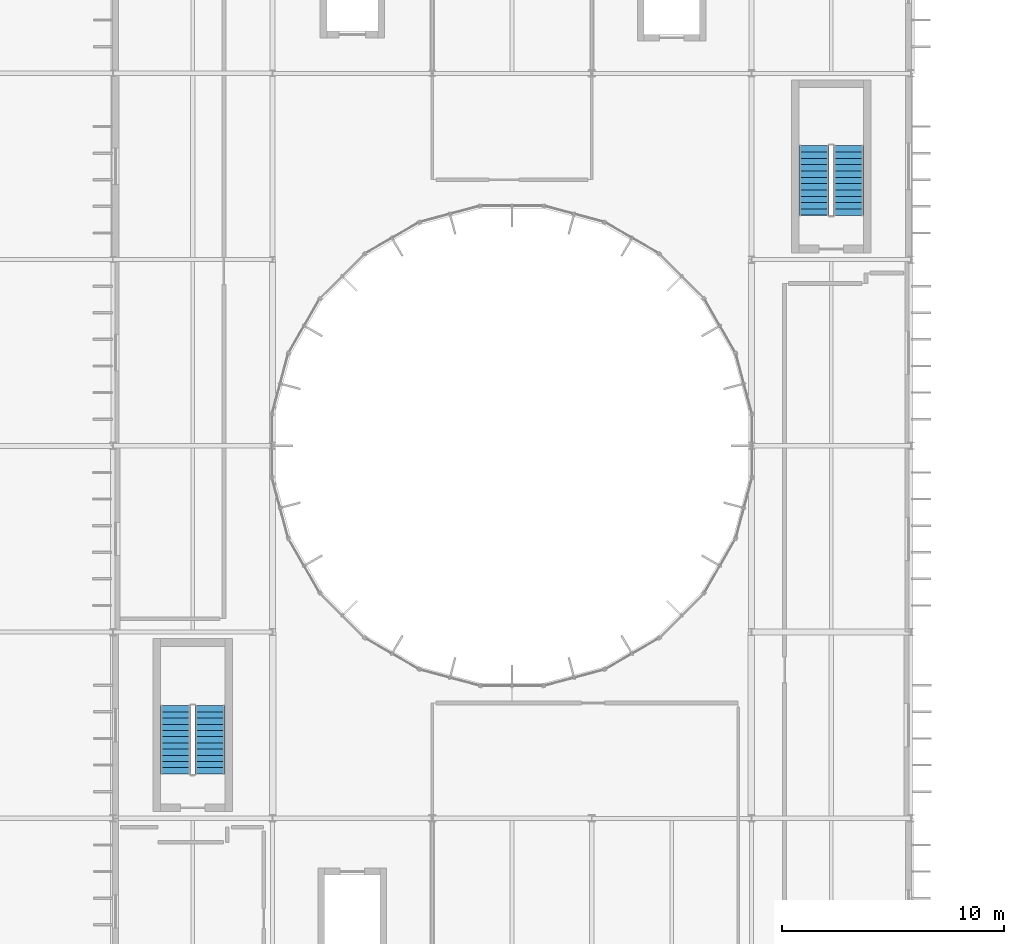
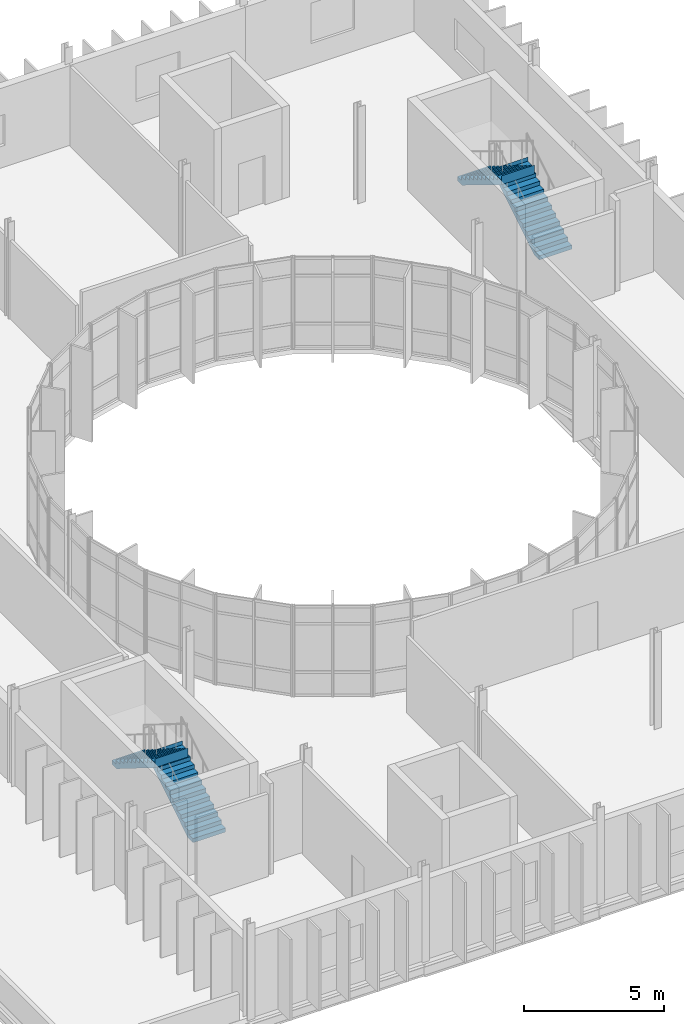
# One storey, part 44 of 52: 4 stair flights, 2 elements without a shape of their own.
"""IFC4 building model written with IfcOpenShell, lengths in metres."""

from ifc_helpers import new_model, si_unit, direction, frame, origin, place, context, subcontext, project, spatial, polyline, outline, extrude, material, type_object, element, aggregate, save


model = new_model("IFC4")

# Units and contexts
model_context = context("Model", 3, precision=1e-05, world=origin(), true_north=direction((0.0, 1.0)))
body_context = subcontext(model_context, "Body", "Model", "MODEL_VIEW")
ifc_project = project(units=[si_unit("LENGTHUNIT", "METRE"), si_unit("AREAUNIT", "SQUARE_METRE"), si_unit("VOLUMEUNIT", "CUBIC_METRE"), si_unit("PLANEANGLEUNIT", "RADIAN"), si_unit("MASSUNIT", "GRAM", prefix="KILO")], contexts=[model_context])

# Site, building, storey
site_placement = place(None, origin())
site = spatial("IfcSite", under=ifc_project, at=site_placement, CompositionType="ELEMENT")
building_placement = place(site_placement, origin())
building = spatial("IfcBuilding", under=site, at=building_placement, Name="Qelthora Terrace Specialist Clinic", CompositionType="ELEMENT")
storey_placement = place(building_placement, frame((0.0, 0.0, 17.39990234375)))
storey = spatial("IfcBuildingStorey", under=building, at=storey_placement, Name="L04", CompositionType="ELEMENT", Elevation=17.39990234375)

# Stair, stair flights
ifc_material = material(Name="Concrete C30/37", Category="concrete")
stair_type_1 = type_object("IfcStairType", Name="STR-175-280", PredefinedType="HALF_TURN_STAIR", material=ifc_material)
stair_1_placement = place(storey_placement, origin())
stair_1 = element("IfcStair", 1, at=stair_1_placement, inside=storey, type_object=stair_type_1, Name="L04 Enclosed Exit Stair ST-01", PredefinedType="HALF_TURN_STAIR")
stair_flight_type_1 = type_object("IfcStairFlightType", Name="SFL-175-280", PredefinedType="STRAIGHT", material=ifc_material)
stair_flight_1_placement = place(storey_placement, frame((11.574951171875, 69.199951171875, 0.0), z_axis=(0.0, 0.0, 1.0), x_axis=(0.0, 1.0, 0.0)))
stair_flight_1 = element("IfcStairFlight", 2, at=stair_flight_1_placement, type_object=stair_flight_type_1, Name="ST-01 flight 1", NumberOfRisers=12, NumberOfTreads=11, PredefinedType="STRAIGHT", RiserHeight=0.175, TreadLength=0.28, context=body_context, shape_type="SweptSolid", body=[
    extrude(outline(polyline([(-0.001953125, 0.0), (-0.001953125, 0.175048828125), (0.280029296875, 0.175048828125), (0.280029296875, 0.35009765625), (0.56005859375, 0.35009765625), (0.56005859375, 0.52490234375), (0.840087890625, 0.52490234375), (0.840087890625, 0.699951171875), (1.1201171875, 0.699951171875), (1.1201171875, 0.875), (1.39990234375, 0.875), (1.39990234375, 1.050048828125), (1.679931640625, 1.050048828125), (1.679931640625, 1.22509765625), (1.9599609375, 1.22509765625), (1.9599609375, 1.39990234375), (2.239990234375, 1.39990234375), (2.239990234375, 1.574951171875), (2.52001953125, 1.574951171875), (2.52001953125, 1.75), (2.800048828125, 1.75), (2.800048828125, 1.925048828125), (3.080078125, 1.925048828125), (3.080078125, 2.10009765625), (3.08203125, 2.10009765625), (3.08203125, 1.712890625), (3.080078125, 1.712890625), (0.339599609375, 0.0), (-0.001953125, 0.0)])), frame((0.0, 0.675048828125, 0.0), z_axis=(0.0, -1.0, 0.0), x_axis=(1.0, 0.0, 0.0)), (0.0, 0.0, 1.0), 1.35009765625),
])
stair_flight_2_placement = place(storey_placement, frame((10.02490234375, 72.280029296875, 2.10009765625), z_axis=(0.0, 0.0, 1.0), x_axis=(0.0, -1.0, 0.0)))
stair_flight_2 = element("IfcStairFlight", 3, at=stair_flight_2_placement, type_object=stair_flight_type_1, Name="ST-01 flight 2", NumberOfRisers=12, NumberOfTreads=11, PredefinedType="STRAIGHT", RiserHeight=0.175, TreadLength=0.28, context=body_context, shape_type="SweptSolid", body=[
    extrude(outline(polyline([(-0.001953125, 0.0), (-0.001953125, 0.175048828125), (0.280029296875, 0.175048828125), (0.280029296875, 0.35009765625), (0.56005859375, 0.35009765625), (0.56005859375, 0.52490234375), (0.840087890625, 0.52490234375), (0.840087890625, 0.699951171875), (1.1201171875, 0.699951171875), (1.1201171875, 0.875), (1.39990234375, 0.875), (1.39990234375, 1.050048828125), (1.679931640625, 1.050048828125), (1.679931640625, 1.22509765625), (1.9599609375, 1.22509765625), (1.9599609375, 1.39990234375), (2.239990234375, 1.39990234375), (2.239990234375, 1.574951171875), (2.52001953125, 1.574951171875), (2.52001953125, 1.75), (2.800048828125, 1.75), (2.800048828125, 1.925048828125), (3.080078125, 1.925048828125), (3.080078125, 2.10009765625), (3.08203125, 2.10009765625), (3.08203125, 1.712890625), (3.080078125, 1.712890625), (0.339599609375, 0.0), (-0.001953125, 0.0)])), frame((0.0, 0.675048828125, 0.0), z_axis=(0.0, -1.0, 0.0), x_axis=(1.0, 0.0, 0.0)), (0.0, 0.0, 1.0), 1.35009765625),
])
aggregate(stair_1, [stair_flight_1, stair_flight_2])

stair_type_2 = type_object("IfcStairType", Name="STR-175-285", PredefinedType="HALF_TURN_STAIR", material=ifc_material)
stair_2_placement = place(storey_placement, origin())
stair_2 = element("IfcStair", 4, at=stair_2_placement, inside=storey, type_object=stair_type_2, Name="L04 Enclosed Exit Stair ST-02", PredefinedType="HALF_TURN_STAIR")
stair_flight_type_2 = type_object("IfcStairFlightType", Name="SFL-175-285", PredefinedType="STRAIGHT", material=ifc_material)
stair_flight_3_placement = place(storey_placement, frame((40.375, 94.39990234375, 0.0), z_axis=(0.0, 0.0, 1.0), x_axis=(0.0, 1.0, 0.0)))
stair_flight_3 = element("IfcStairFlight", 5, at=stair_flight_3_placement, type_object=stair_flight_type_2, Name="ST-02 flight 1", NumberOfRisers=12, NumberOfTreads=11, PredefinedType="STRAIGHT", RiserHeight=0.175, TreadLength=0.285, context=body_context, shape_type="SweptSolid", body=[
    extrude(outline(polyline([(-0.001953125, 0.0), (-0.001953125, 0.175048828125), (0.284912109375, 0.175048828125), (0.284912109375, 0.35009765625), (0.570068359375, 0.35009765625), (0.570068359375, 0.52490234375), (0.85498046875, 0.52490234375), (0.85498046875, 0.699951171875), (1.139892578125, 0.699951171875), (1.139892578125, 0.875), (1.425048828125, 0.875), (1.425048828125, 1.050048828125), (1.7099609375, 1.050048828125), (1.7099609375, 1.22509765625), (1.9951171875, 1.22509765625), (1.9951171875, 1.39990234375), (2.280029296875, 1.39990234375), (2.280029296875, 1.574951171875), (2.56494140625, 1.574951171875), (2.56494140625, 1.75), (2.85009765625, 1.75), (2.85009765625, 1.925048828125), (3.135009765625, 1.925048828125), (3.135009765625, 2.10009765625), (3.136962890625, 2.10009765625), (3.136962890625, 1.7138671875), (3.135009765625, 1.7138671875), (0.34375, 0.0), (-0.001953125, 0.0)])), frame((0.0, 0.675048828125, 0.0), z_axis=(0.0, -1.0, 0.0), x_axis=(1.0, 0.0, 0.0)), (0.0, 0.0, 1.0), 1.35009765625),
])
stair_flight_4_placement = place(storey_placement, frame((38.824951171875, 97.534912109375, 2.10009765625), z_axis=(0.0, 0.0, 1.0), x_axis=(0.0, -1.0, 0.0)))
stair_flight_4 = element("IfcStairFlight", 6, at=stair_flight_4_placement, type_object=stair_flight_type_2, Name="ST-02 flight 2", NumberOfRisers=12, NumberOfTreads=11, PredefinedType="STRAIGHT", RiserHeight=0.175, TreadLength=0.285, context=body_context, shape_type="SweptSolid", body=[
    extrude(outline(polyline([(-0.001953125, 0.0), (-0.001953125, 0.175048828125), (0.284912109375, 0.175048828125), (0.284912109375, 0.35009765625), (0.570068359375, 0.35009765625), (0.570068359375, 0.52490234375), (0.85498046875, 0.52490234375), (0.85498046875, 0.699951171875), (1.139892578125, 0.699951171875), (1.139892578125, 0.875), (1.425048828125, 0.875), (1.425048828125, 1.050048828125), (1.7099609375, 1.050048828125), (1.7099609375, 1.22509765625), (1.9951171875, 1.22509765625), (1.9951171875, 1.39990234375), (2.280029296875, 1.39990234375), (2.280029296875, 1.574951171875), (2.56494140625, 1.574951171875), (2.56494140625, 1.75), (2.85009765625, 1.75), (2.85009765625, 1.925048828125), (3.135009765625, 1.925048828125), (3.135009765625, 2.10009765625), (3.136962890625, 2.10009765625), (3.136962890625, 1.7138671875), (3.135009765625, 1.7138671875), (0.34375, 0.0), (-0.001953125, 0.0)])), frame((0.0, 0.675048828125, 0.0), z_axis=(0.0, -1.0, 0.0), x_axis=(1.0, 0.0, 0.0)), (0.0, 0.0, 1.0), 1.35009765625),
])
aggregate(stair_2, [stair_flight_3, stair_flight_4])

save(model, "model.ifc")
